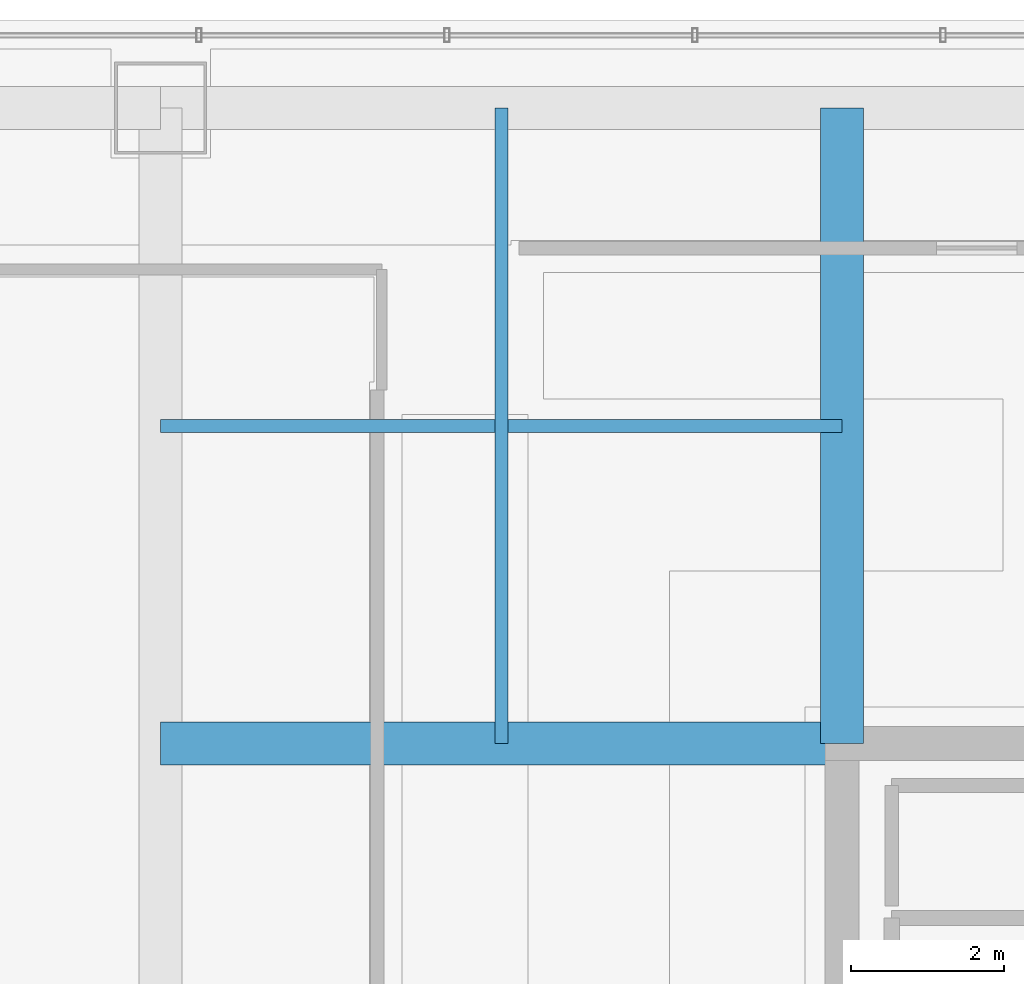
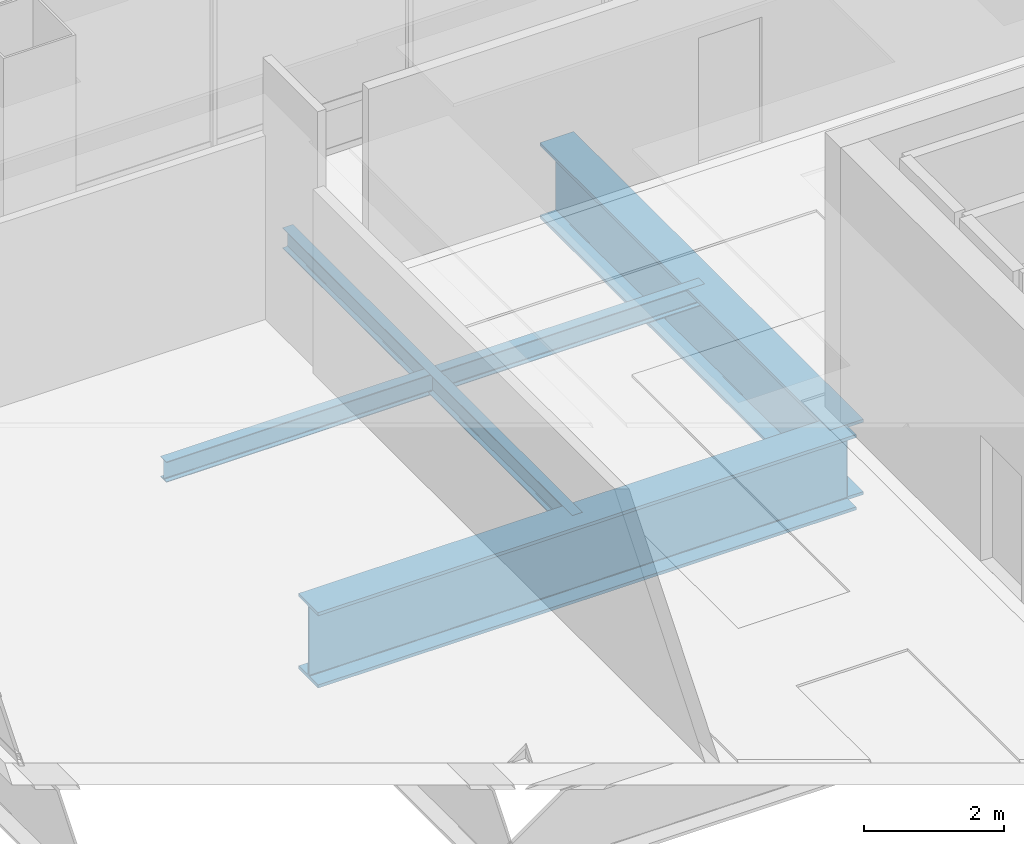
# One storey, part 24 of 44: 4 beams.
"""IFC4 building model written with IfcOpenShell, lengths in metres."""

from ifc_helpers import new_model, si_unit, direction, frame, origin, origin_2d, place, context, subcontext, project, spatial, i_section, extrude, material, material_profile, profile_set, type_object, element, save


model = new_model("IFC4")

# Units and contexts
model_context = context("Model", 3, precision=1e-05, world=origin(), true_north=direction((0.0, 1.0)))
body_context = subcontext(model_context, "Body", "Model", "MODEL_VIEW")
ifc_project = project(units=[si_unit("LENGTHUNIT", "METRE"), si_unit("AREAUNIT", "SQUARE_METRE"), si_unit("VOLUMEUNIT", "CUBIC_METRE"), si_unit("PLANEANGLEUNIT", "RADIAN"), si_unit("MASSUNIT", "GRAM", prefix="KILO")], contexts=[model_context])

# Site, building, storey
site_placement = place(None, origin())
site = spatial("IfcSite", under=ifc_project, at=site_placement, CompositionType="ELEMENT")
building_placement = place(site_placement, origin())
building = spatial("IfcBuilding", under=site, at=building_placement, Name="Punatoya Terracotta Tower", CompositionType="ELEMENT")
storey_placement = place(building_placement, frame((0.0, 0.0, 334.199951171875)))
storey = spatial("IfcBuildingStorey", under=building, at=storey_placement, Name="L79", CompositionType="ELEMENT", Elevation=334.199951171875)

# Beams
ifc_material_1 = material(Name="Steel S355", Category="steel")
ifc_material_profile_1 = material_profile(ifc_material_1, i_section(OverallWidth=0.169921875, OverallDepth=0.360107421875, WebThickness=0.008056640625, FlangeThickness=0.0126953125, FilletRadius=0.01806640625, at=origin_2d()))
ifc_profile_set_1 = profile_set([ifc_material_profile_1], Name="Steel S355")
beam_type_1 = type_object("IfcBeamType", Name="BM-SEC-360", PredefinedType="JOIST", material=ifc_profile_set_1)
beam_1_placement = place(storey_placement, frame((-19.10009765625, 13.35009765625, -0.43994140625), z_axis=(1.0, 0.0, 0.0), x_axis=(0.0, 1.0, 0.0)))
element("IfcBeam", 1, at=beam_1_placement, inside=storey, type_object=beam_type_1, Name="BM-L79-SJN-1", PredefinedType="JOIST", context=body_context, shape_type="SweptSolid", body=[
    extrude(i_section(OverallWidth=0.169921875, OverallDepth=0.360107421875, WebThickness=0.008056640625, FlangeThickness=0.0126953125, FilletRadius=0.01806640625, at=origin_2d()), origin(), (0.0, 0.0, 1.0), 8.900146484375),
])
beam_2_placement = place(storey_placement, frame((-14.64990234375, 9.199951171875, -0.43994140625), z_axis=(0.0, 1.0, 0.0), x_axis=(-1.0, 0.0, 0.0)))
element("IfcBeam", 2, at=beam_2_placement, inside=storey, type_object=beam_type_1, Name="BM-L79-SJW-2", PredefinedType="JOIST", context=body_context, shape_type="SweptSolid", body=[
    extrude(i_section(OverallWidth=0.169921875, OverallDepth=0.360107421875, WebThickness=0.008056640625, FlangeThickness=0.0126953125, FilletRadius=0.01806640625, at=origin_2d()), origin(), (0.0, 0.0, 1.0), 8.300048828125),
])
ifc_material_2 = material(Name="Steel S460", Category="steel")
ifc_material_profile_2 = material_profile(ifc_material_2, i_section(OverallWidth=0.56005859375, OverallDepth=1.320068359375, WebThickness=0.035888671875, FlangeThickness=0.054931640625, FilletRadius=0.01806640625, at=origin_2d()))
ifc_profile_set_2 = profile_set([ifc_material_profile_2], Name="Steel S460")
beam_type_2 = type_object("IfcBeamType", Name="BM-TG-BLK", PredefinedType="BEAM", material=ifc_profile_set_2)
beam_3_placement = place(storey_placement, frame((-19.10009765625, 9.199951171875, -0.919921875), z_axis=(1.0, 0.0, 0.0), x_axis=(0.0, 1.0, 0.0)))
element("IfcBeam", 3, at=beam_3_placement, inside=storey, type_object=beam_type_2, Name="BM-L79-PR-WN", PredefinedType="BEAM", context=body_context, shape_type="SweptSolid", body=[
    extrude(i_section(OverallWidth=0.56005859375, OverallDepth=1.320068359375, WebThickness=0.035888671875, FlangeThickness=0.054931640625, FilletRadius=0.01806640625, at=origin_2d()), origin(), (0.0, 0.0, 1.0), 8.900146484375),
])
beam_4_placement = place(storey_placement, frame((-10.199951171875, 9.199951171875, -0.919921875), z_axis=(0.0, 1.0, 0.0), x_axis=(-1.0, 0.0, 0.0)))
element("IfcBeam", 4, at=beam_4_placement, inside=storey, type_object=beam_type_2, Name="BM-L79-PR-N1", PredefinedType="BEAM", context=body_context, shape_type="SweptSolid", body=[
    extrude(i_section(OverallWidth=0.56005859375, OverallDepth=1.320068359375, WebThickness=0.035888671875, FlangeThickness=0.054931640625, FilletRadius=0.01806640625, at=origin_2d()), origin(), (0.0, 0.0, 1.0), 8.300048828125),
])

save(model, "model.ifc")
